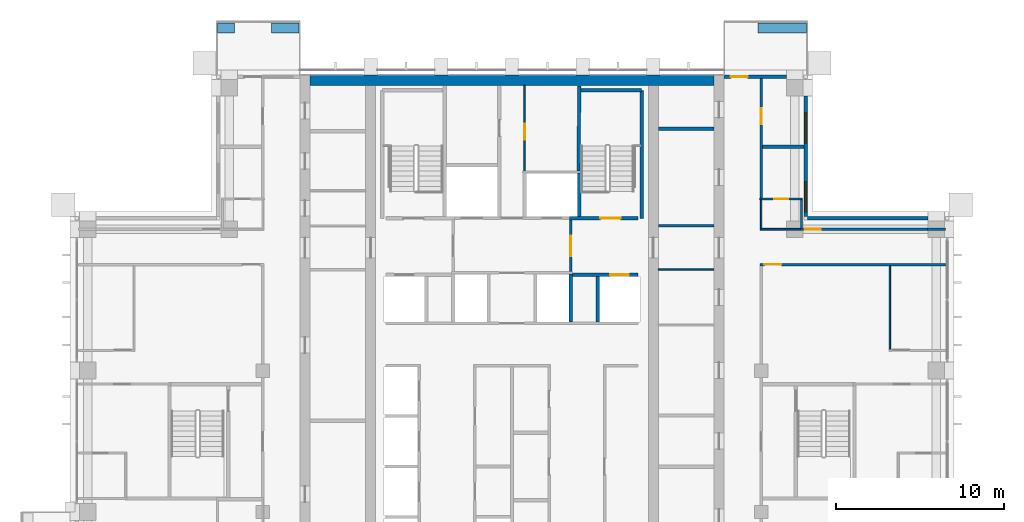
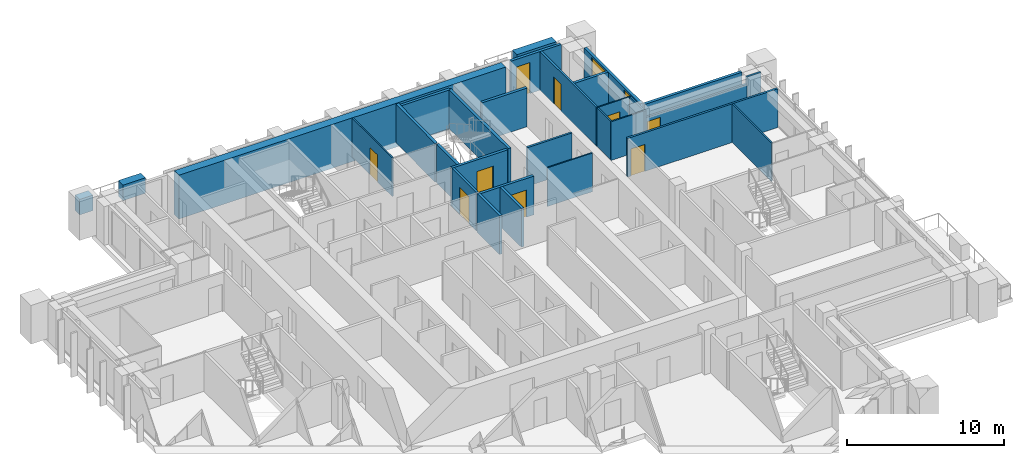
# One storey, part 14 of 19: 31 walls, 9 doors, 2 windows, 11 openings.
"""IFC4 building model written with IfcOpenShell, lengths in metres."""

from ifc_helpers import new_model, si_unit, direction, frame, frame_2d, origin, place, context, subcontext, project, spatial, rectangle, extrude, material, layer, layer_set, type_object, element, fill, save


model = new_model("IFC4")

# Units and contexts
model_context = context("Model", 3, precision=1e-05, world=origin(), true_north=direction((0.0, 1.0)))
body_context = subcontext(model_context, "Body", "Model", "MODEL_VIEW")
ifc_project = project(units=[si_unit("LENGTHUNIT", "METRE"), si_unit("AREAUNIT", "SQUARE_METRE"), si_unit("VOLUMEUNIT", "CUBIC_METRE"), si_unit("PLANEANGLEUNIT", "RADIAN"), si_unit("MASSUNIT", "GRAM", prefix="KILO")], contexts=[model_context])

# Site, building, storey
site_placement = place(None, origin())
site = spatial("IfcSite", under=ifc_project, at=site_placement, CompositionType="ELEMENT")
building_placement = place(site_placement, origin())
building = spatial("IfcBuilding", under=site, at=building_placement, Name="Vermilion Ogive Tower", CompositionType="ELEMENT")
storey_placement = place(building_placement, frame((0.0, 0.0, 213.5)))
storey = spatial("IfcBuildingStorey", under=building, at=storey_placement, Name="L56", CompositionType="ELEMENT", Elevation=213.5)

# Walls
ifc_material_1 = material(Name="Concrete B60", Category="concrete")
ifc_layer_1 = layer(ifc_material_1, 0.60009765625)
ifc_layer_set_1 = layer_set([ifc_layer_1], Name="Core wall 600 B60")
wall_type_1 = type_object("IfcWallType", Name="Core wall 600 B60", PredefinedType="SHEAR", material=ifc_layer_set_1)
wall_1_placement = place(storey_placement, frame((-12.0, 21.449951171875, -0.39990234375), z_axis=(0.0, 0.0, 1.0), x_axis=(1.0, 0.0, 0.0)))
element("IfcWall", 1, at=wall_1_placement, inside=storey, type_object=wall_type_1, Name="L56-CORE-N", PredefinedType="SHEAR", context=body_context, shape_type="SweptSolid", body=[
    extrude(rectangle(XDim=24.0, YDim=0.60009765625, at=frame_2d((12.0, 0.0))), origin(), (0.0, 0.0, 1.0), 3.39990234375),
])
ifc_material_2 = material(Name="Gypsum board partition on steel studs", Category="steel")
ifc_layer_2 = layer(ifc_material_2, 0.10009765625)
ifc_layer_set_2 = layer_set([ifc_layer_2], Name="Partition 100 bath")
wall_type_2 = type_object("IfcWallType", Name="Partition 100 bath", PredefinedType="PARTITIONING", material=ifc_layer_set_2)
wall_2_placement = place(storey_placement, frame((14.75, 12.60009765625, 0.0), z_axis=(0.0, 0.0, 1.0), x_axis=(1.0, 0.0, 0.0)))
element("IfcWall", 2, at=wall_2_placement, inside=storey, type_object=wall_type_2, Name="L56-W-W035", PredefinedType="PARTITIONING", context=body_context, shape_type="SweptSolid", body=[
    extrude(rectangle(XDim=2.5, YDim=0.10009765625, at=frame_2d((1.25, 0.0))), origin(), (0.0, 0.0, 1.0), 3.0),
])

# Wall, opening, door
wall_3_placement = place(storey_placement, frame((14.72509765625, 14.39990234375, 0.0), z_axis=(0.0, 0.0, 1.0), x_axis=(1.0, 0.0, 0.0)))
wall_3 = element("IfcWall", 3, at=wall_3_placement, inside=storey, type_object=wall_type_2, Name="L56-W-W038", PredefinedType="PARTITIONING", context=body_context, shape_type="SweptSolid", body=[
    extrude(rectangle(XDim=2.52490234375, YDim=0.10009765625, at=frame_2d((1.262451171875, 0.0))), origin(), (0.0, 0.0, 1.0), 3.0),
])
opening_1_placement = place(wall_3_placement, frame((0.849853515625, 0.0, 0.0)))
opening_1 = element("IfcOpeningElement", 4, at=opening_1_placement, cuts=wall_3, Name="Opening D4G6021", PredefinedType="OPENING", context=body_context, shape_type="SweptSolid", body=[
    extrude(rectangle(XDim=0.85009765625, YDim=2.10009765625, at=frame_2d((0.425048828125, 1.050048828125))), frame((0.0, 0.06005859375, 0.0), z_axis=(0.0, -1.0, 0.0), x_axis=(1.0, 0.0, 0.0)), (0.0, 0.0, 1.0), 0.1201171875),
])
ifc_material_3 = material(Name="Timber door leaf", Category="wood")
door_type_1 = type_object("IfcDoorType", Name="Bath door 850 x 2100 FD30", OperationType="SINGLE_SWING_LEFT", PredefinedType="DOOR", material=ifc_material_3)
door_1_placement = place(opening_1_placement, origin())
door_1 = element("IfcDoor", 5, at=door_1_placement, inside=storey, type_object=door_type_1, Name="L56-D-D021", OperationType="SINGLE_SWING_RIGHT", OverallHeight=2.10009765625, OverallWidth=0.85009765625, PredefinedType="DOOR", context=body_context, shape_type="SweptSolid", body=[
    extrude(rectangle(XDim=0.85009765625, YDim=2.10009765625, at=frame_2d((0.425048828125, 1.050048828125))), frame((0.0, 0.02490234375, 0.0), z_axis=(0.0, -1.0, 0.0), x_axis=(1.0, 0.0, 0.0)), (0.0, 0.0, 1.0), 0.050048828125),
])
fill(opening_1, door_1)

# Walls
wall_4_placement = place(storey_placement, frame((14.800048828125, 12.64990234375, 0.0), z_axis=(0.0, 0.0, 1.0), x_axis=(0.0, 1.0, 0.0)))
element("IfcWall", 6, at=wall_4_placement, inside=storey, type_object=wall_type_2, Name="L56-W-W069", PredefinedType="PARTITIONING", context=body_context, shape_type="SweptSolid", body=[
    extrude(rectangle(XDim=1.7001953125, YDim=0.10009765625, at=frame_2d((0.85009765625, 0.0))), origin(), (0.0, 0.0, 1.0), 3.0),
])
wall_5_placement = place(storey_placement, frame((17.199951171875, 12.675048828125, 0.0), z_axis=(0.0, 0.0, 1.0), x_axis=(0.0, 1.0, 0.0)))
element("IfcWall", 7, at=wall_5_placement, inside=storey, type_object=wall_type_2, Name="L56-W-W072", PredefinedType="PARTITIONING", context=body_context, shape_type="SweptSolid", body=[
    extrude(rectangle(XDim=1.675048828125, YDim=0.10009765625, at=frame_2d((0.83740234375, 0.0))), origin(), (0.0, 0.0, 1.0), 3.0),
])

# Wall, opening, door
wall_6_placement = place(storey_placement, frame((0.75, 16.050048828125, 0.0), z_axis=(0.0, 0.0, 1.0), x_axis=(0.0, 1.0, 0.0)))
wall_6 = element("IfcWall", 8, at=wall_6_placement, inside=storey, type_object=wall_type_2, Name="L56-CK-W-W030", PredefinedType="PARTITIONING", context=body_context, shape_type="SweptSolid", body=[
    extrude(rectangle(XDim=5.098876953125, YDim=0.10009765625, at=frame_2d((2.54931640625, 0.0))), origin(), (0.0, 0.0, 1.0), 3.0),
])
opening_2_placement = place(wall_6_placement, frame((1.875, 0.0, 0.0)))
opening_2 = element("IfcOpeningElement", 9, at=opening_2_placement, cuts=wall_6, Name="Opening DAA526", PredefinedType="OPENING", context=body_context, shape_type="SweptSolid", body=[
    extrude(rectangle(XDim=0.949951171875, YDim=2.10009765625, at=frame_2d((0.47509765625, 1.050048828125))), frame((0.0, 0.06005859375, 0.0), z_axis=(0.0, -1.0, 0.0), x_axis=(1.0, 0.0, 0.0)), (0.0, 0.0, 1.0), 0.1201171875),
])
ifc_material_4 = material(Name="Timber door leaf", Category="wood")
door_type_2 = type_object("IfcDoorType", Name="Service door 950 x 2100 FD60", OperationType="SINGLE_SWING_LEFT", PredefinedType="DOOR", material=ifc_material_4)
door_2_placement = place(opening_2_placement, origin())
door_2 = element("IfcDoor", 10, at=door_2_placement, inside=storey, type_object=door_type_2, Name="L56-CK-D-D022", OperationType="SINGLE_SWING_LEFT", OverallHeight=2.10009765625, OverallWidth=0.949951171875, PredefinedType="DOOR", context=body_context, shape_type="SweptSolid", body=[
    extrude(rectangle(XDim=0.949951171875, YDim=2.10009765625, at=frame_2d((0.47509765625, 1.050048828125))), frame((0.0, 0.02490234375, 0.0), z_axis=(0.0, -1.0, 0.0), x_axis=(1.0, 0.0, 0.0)), (0.0, 0.0, 1.0), 0.050048828125),
])
fill(opening_2, door_2)

# Walls
wall_7_placement = place(storey_placement, frame((8.700927734375, 10.199951171875, 0.0), z_axis=(0.0, 0.0, 1.0), x_axis=(1.0, 0.0, 0.0)))
element("IfcWall", 11, at=wall_7_placement, inside=storey, type_object=wall_type_2, Name="L56-CKE-W-W004", PredefinedType="PARTITIONING", context=body_context, shape_type="SweptSolid", body=[
    extrude(rectangle(XDim=3.298095703125, YDim=0.10009765625, at=frame_2d((1.64892578125, 0.0))), origin(), (0.0, 0.0, 1.0), 3.0),
])
ifc_material_5 = material(Name="Gypsum board partition on steel studs", Category="steel")
ifc_layer_3 = layer(ifc_material_5, 0.10009765625)
ifc_layer_set_3 = layer_set([ifc_layer_3], Name="Partition 100 inner")
wall_type_3 = type_object("IfcWallType", Name="Partition 100 inner", PredefinedType="PARTITIONING", material=ifc_layer_set_3)
wall_8_placement = place(storey_placement, frame((22.449951171875, 5.449951171875, 0.0), z_axis=(0.0, 0.0, 1.0), x_axis=(0.0, 1.0, 0.0)))
element("IfcWall", 12, at=wall_8_placement, inside=storey, type_object=wall_type_3, Name="L56-W-W074", PredefinedType="PARTITIONING", context=body_context, shape_type="SweptSolid", body=[
    extrude(rectangle(XDim=4.97509765625, YDim=0.10009765625, at=frame_2d((2.487548828125, 0.0))), origin(), (0.0, 0.0, 1.0), 3.0),
])

# Wall, opening, door
ifc_material_6 = material(Name="Gypsum board partition on steel studs", Category="steel")
ifc_layer_4 = layer(ifc_material_6, 0.14990234375)
ifc_layer_set_4 = layer_set([ifc_layer_4], Name="Partition 150 corridor")
wall_type_4 = type_object("IfcWallType", Name="Partition 150 corridor", PredefinedType="PARTITIONING", material=ifc_layer_set_4)
wall_9_placement = place(storey_placement, frame((14.72509765625, 10.5, 0.0), z_axis=(0.0, 0.0, 1.0), x_axis=(1.0, 0.0, 0.0)))
wall_9 = element("IfcWall", 13, at=wall_9_placement, inside=storey, type_object=wall_type_4, Name="L56-W-W032", PredefinedType="PARTITIONING", context=body_context, shape_type="SweptSolid", body=[
    extrude(rectangle(XDim=11.02490234375, YDim=0.14990234375, at=frame_2d((5.512451171875, 0.0))), origin(), (0.0, 0.0, 1.0), 3.0),
])
opening_3_placement = place(wall_9_placement, frame((0.27490234375, 0.0, 0.0)))
opening_3 = element("IfcOpeningElement", 14, at=opening_3_placement, cuts=wall_9, Name="Opening D4G6017", PredefinedType="OPENING", context=body_context, shape_type="SweptSolid", body=[
    extrude(rectangle(XDim=1.0, YDim=2.10009765625, at=frame_2d((0.5, 1.050048828125))), frame((0.0, 0.0849609375, 0.0), z_axis=(0.0, -1.0, 0.0), x_axis=(1.0, 0.0, 0.0)), (0.0, 0.0, 1.0), 0.169921875),
])
ifc_material_7 = material(Name="Timber door leaf", Category="wood")
door_type_3 = type_object("IfcDoorType", Name="Unit door 1000 x 2100 FD30S", OperationType="SINGLE_SWING_LEFT", PredefinedType="DOOR", material=ifc_material_7)
door_3_placement = place(opening_3_placement, origin())
door_3 = element("IfcDoor", 15, at=door_3_placement, inside=storey, type_object=door_type_3, Name="L56-D-D017", OperationType="SINGLE_SWING_RIGHT", OverallHeight=2.10009765625, OverallWidth=1.0, PredefinedType="DOOR", context=body_context, shape_type="SweptSolid", body=[
    extrude(rectangle(XDim=1.0, YDim=2.10009765625, at=frame_2d((0.5, 1.050048828125))), frame((0.0, 0.02490234375, 0.0), z_axis=(0.0, -1.0, 0.0), x_axis=(1.0, 0.0, 0.0)), (0.0, 0.0, 1.0), 0.050048828125),
])
fill(opening_3, door_3)

# Wall
wall_10_placement = place(storey_placement, frame((17.14990234375, 12.60009765625, 0.0), z_axis=(0.0, 0.0, 1.0), x_axis=(1.0, 0.0, 0.0)))
element("IfcWall", 16, at=wall_10_placement, inside=storey, type_object=wall_type_4, Name="L56-W-W036", PredefinedType="PARTITIONING", context=body_context, shape_type="SweptSolid", body=[
    extrude(rectangle(XDim=0.150146484375, YDim=0.14990234375, at=frame_2d((0.0751953125, 0.0))), origin(), (0.0, 0.0, 1.0), 3.0),
])

# Wall, opening, door
wall_11_placement = place(storey_placement, frame((14.800048828125, 14.449951171875, 0.0), z_axis=(0.0, 0.0, 1.0), x_axis=(0.0, 1.0, 0.0)))
wall_11 = element("IfcWall", 17, at=wall_11_placement, inside=storey, type_object=wall_type_4, Name="L56-W-W070", PredefinedType="PARTITIONING", context=body_context, shape_type="SweptSolid", body=[
    extrude(rectangle(XDim=7.10009765625, YDim=0.14990234375, at=frame_2d((3.550048828125, 0.0))), origin(), (0.0, 0.0, 1.0), 3.0),
])
opening_4_placement = place(wall_11_placement, frame((4.400146484375, 0.0, 0.0)))
opening_4 = element("IfcOpeningElement", 18, at=opening_4_placement, cuts=wall_11, Name="Opening D4G6022", PredefinedType="OPENING", context=body_context, shape_type="SweptSolid", body=[
    extrude(rectangle(XDim=0.949951171875, YDim=2.10009765625, at=frame_2d((0.47509765625, 1.050048828125))), frame((0.0, 0.0849609375, 0.0), z_axis=(0.0, -1.0, 0.0), x_axis=(1.0, 0.0, 0.0)), (0.0, 0.0, 1.0), 0.169921875),
])
ifc_material_8 = material(Name="Timber door leaf", Category="wood")
door_type_4 = type_object("IfcDoorType", Name="Unit door 950 x 2100 FD30S", OperationType="SINGLE_SWING_LEFT", PredefinedType="DOOR", material=ifc_material_8)
door_4_placement = place(opening_4_placement, origin())
door_4 = element("IfcDoor", 19, at=door_4_placement, inside=storey, type_object=door_type_4, Name="L56-D-D022", OperationType="SINGLE_SWING_RIGHT", OverallHeight=2.10009765625, OverallWidth=0.949951171875, PredefinedType="DOOR", context=body_context, shape_type="SweptSolid", body=[
    extrude(rectangle(XDim=0.949951171875, YDim=2.10009765625, at=frame_2d((0.47509765625, 1.050048828125))), frame((0.0, 0.02490234375, 0.0), z_axis=(0.0, -1.0, 0.0), x_axis=(1.0, 0.0, 0.0)), (0.0, 0.0, 1.0), 0.050048828125),
])
fill(opening_4, door_4)

wall_12_placement = place(storey_placement, frame((3.5, 10.074951171875, 0.0), z_axis=(0.0, 0.0, 1.0), x_axis=(0.0, 1.0, 0.0)))
wall_12 = element("IfcWall", 20, at=wall_12_placement, inside=storey, type_object=wall_type_4, Name="L56-CK-W-W034", PredefinedType="PARTITIONING", context=body_context, shape_type="SweptSolid", body=[
    extrude(rectangle(XDim=3.074951171875, YDim=0.14990234375, at=frame_2d((1.53759765625, 0.0))), origin(), (0.0, 0.0, 1.0), 3.0),
])
opening_5_placement = place(wall_12_placement, frame((0.925048828125, 0.0, 0.0)))
opening_5 = element("IfcOpeningElement", 21, at=opening_5_placement, cuts=wall_12, Name="Opening DAA515", PredefinedType="OPENING", context=body_context, shape_type="SweptSolid", body=[
    extrude(rectangle(XDim=1.199951171875, YDim=2.10009765625, at=frame_2d((0.60009765625, 1.050048828125))), frame((0.0, 0.0849609375, 0.0), z_axis=(0.0, -1.0, 0.0), x_axis=(1.0, 0.0, 0.0)), (0.0, 0.0, 1.0), 0.169921875),
])
ifc_material_9 = material(Name="Timber door leaf", Category="wood")
door_type_5 = type_object("IfcDoorType", Name="Lobby door 1200 x 2100 FD60S", OperationType="SINGLE_SWING_LEFT", PredefinedType="DOOR", material=ifc_material_9)
door_5_placement = place(opening_5_placement, origin())
door_5 = element("IfcDoor", 22, at=door_5_placement, inside=storey, type_object=door_type_5, Name="L56-CK-D-D024", OperationType="SINGLE_SWING_LEFT", OverallHeight=2.10009765625, OverallWidth=1.199951171875, PredefinedType="DOOR", context=body_context, shape_type="SweptSolid", body=[
    extrude(rectangle(XDim=1.199951171875, YDim=2.10009765625, at=frame_2d((0.60009765625, 1.050048828125))), frame((0.0, 0.02490234375, 0.0), z_axis=(0.0, -1.0, 0.0), x_axis=(1.0, 0.0, 0.0)), (0.0, 0.0, 1.0), 0.050048828125),
])
fill(opening_5, door_5)

# Wall
wall_13_placement = place(storey_placement, frame((8.700927734375, 12.800048828125, 0.0), z_axis=(0.0, 0.0, 1.0), x_axis=(1.0, 0.0, 0.0)))
element("IfcWall", 23, at=wall_13_placement, inside=storey, type_object=wall_type_4, Name="L56-CKE-W-W005", PredefinedType="PARTITIONING", context=body_context, shape_type="SweptSolid", body=[
    extrude(rectangle(XDim=3.298095703125, YDim=0.14990234375, at=frame_2d((1.64892578125, 0.0))), origin(), (0.0, 0.0, 1.0), 3.0),
])

# Wall, opening, door
wall_14_placement = place(storey_placement, frame((17.300048828125, 12.60009765625, 0.0), z_axis=(0.0, 0.0, 1.0), x_axis=(1.0, 0.0, 0.0)))
wall_14 = element("IfcWall", 24, at=wall_14_placement, inside=storey, type_object=wall_type_4, Name="L56-W-W036-h1", PredefinedType="PARTITIONING", context=body_context, shape_type="SweptSolid", body=[
    extrude(rectangle(XDim=7.39990234375, YDim=0.14990234375, at=frame_2d((3.699951171875, 0.0))), origin(), (0.0, 0.0, 1.0), 2.449951171875),
])
opening_6_placement = place(wall_14_placement, frame((0.099853515625, 0.0, 0.0)))
opening_6 = element("IfcOpeningElement", 25, at=opening_6_placement, cuts=wall_14, Name="Opening D4G6020", PredefinedType="OPENING", context=body_context, shape_type="SweptSolid", body=[
    extrude(rectangle(XDim=0.949951171875, YDim=2.10009765625, at=frame_2d((0.47509765625, 1.050048828125))), frame((0.0, 0.0849609375, 0.0), z_axis=(0.0, -1.0, 0.0), x_axis=(1.0, 0.0, 0.0)), (0.0, 0.0, 1.0), 0.169921875),
])
door_6_placement = place(opening_6_placement, origin())
door_6 = element("IfcDoor", 26, at=door_6_placement, inside=storey, type_object=door_type_4, Name="L56-D-D020", OperationType="SINGLE_SWING_LEFT", OverallHeight=2.10009765625, OverallWidth=0.949951171875, PredefinedType="DOOR", context=body_context, shape_type="SweptSolid", body=[
    extrude(rectangle(XDim=0.949951171875, YDim=2.10009765625, at=frame_2d((0.47509765625, 1.050048828125))), frame((0.0, 0.02490234375, 0.0), z_axis=(0.0, -1.0, 0.0), x_axis=(1.0, 0.0, 0.0)), (0.0, 0.0, 1.0), 0.050048828125),
])
fill(opening_6, door_6)

# Walls
wall_15_placement = place(storey_placement, frame((24.699951171875, 12.60009765625, 0.0), z_axis=(0.0, 0.0, 1.0), x_axis=(1.0, 0.0, 0.0)))
element("IfcWall", 27, at=wall_15_placement, inside=storey, type_object=wall_type_4, Name="L56-W-W036-h2", PredefinedType="PARTITIONING", context=body_context, shape_type="SweptSolid", body=[
    extrude(rectangle(XDim=1.050048828125, YDim=0.14990234375, at=frame_2d((0.52490234375, 0.0))), origin(), (0.0, 0.0, 1.0), 3.0),
])
ifc_material_10 = material(Name="Gypsum board partition on steel studs", Category="steel")
ifc_layer_5 = layer(ifc_material_10, 0.199951171875)
ifc_layer_set_5 = layer_set([ifc_layer_5], Name="Partition 200 party")
wall_type_5 = type_object("IfcWallType", Name="Partition 200 party", PredefinedType="PARTITIONING", material=ifc_layer_set_5)
wall_16_placement = place(storey_placement, frame((14.875, 17.5, 0.0), z_axis=(0.0, 0.0, 1.0), x_axis=(1.0, 0.0, 0.0)))
element("IfcWall", 28, at=wall_16_placement, inside=storey, type_object=wall_type_5, Name="L56-W-W040", PredefinedType="PARTITIONING", context=body_context, shape_type="SweptSolid", body=[
    extrude(rectangle(XDim=2.47509765625, YDim=0.199951171875, at=frame_2d((1.237548828125, 0.0))), origin(), (0.0, 0.0, 1.0), 3.0),
])

# Wall, opening, door
wall_17_placement = place(storey_placement, frame((3.60009765625, 9.89990234375, 0.0), z_axis=(0.0, 0.0, 1.0), x_axis=(1.0, 0.0, 0.0)))
wall_17 = element("IfcWall", 29, at=wall_17_placement, inside=storey, type_object=wall_type_5, Name="L56-CK-W-W013", PredefinedType="PARTITIONING", context=body_context, shape_type="SweptSolid", body=[
    extrude(rectangle(XDim=3.89990234375, YDim=0.199951171875, at=frame_2d((1.949951171875, 0.0))), origin(), (0.0, 0.0, 1.0), 3.0),
])
opening_7_placement = place(wall_17_placement, frame((2.25, 0.0, 0.0)))
opening_7 = element("IfcOpeningElement", 30, at=opening_7_placement, cuts=wall_17, Name="Opening DAA535", PredefinedType="OPENING", context=body_context, shape_type="SweptSolid", body=[
    extrude(rectangle(XDim=1.10009765625, YDim=2.10009765625, at=frame_2d((0.550048828125, 1.050048828125))), frame((0.0, 0.10986328125, 0.0), z_axis=(0.0, -1.0, 0.0), x_axis=(1.0, 0.0, 0.0)), (0.0, 0.0, 1.0), 0.219970703125),
])
ifc_material_11 = material(Name="Stainless steel", Category="steel")
door_type_6 = type_object("IfcDoorType", Name="Lift landing door 1100 x 2100", OperationType="SLIDING_TO_LEFT", PredefinedType="DOOR", material=ifc_material_11)
door_7_placement = place(opening_7_placement, origin())
door_7 = element("IfcDoor", 31, at=door_7_placement, inside=storey, type_object=door_type_6, Name="L56-CK-D-D015", OperationType="SLIDING_TO_LEFT", OverallHeight=2.10009765625, OverallWidth=1.10009765625, PredefinedType="DOOR", context=body_context, shape_type="SweptSolid", body=[
    extrude(rectangle(XDim=1.10009765625, YDim=2.10009765625, at=frame_2d((0.550048828125, 1.050048828125))), frame((0.0, 0.02490234375, 0.0), z_axis=(0.0, -1.0, 0.0), x_axis=(1.0, 0.0, 0.0)), (0.0, 0.0, 1.0), 0.050048828125),
])
fill(opening_7, door_7)

# Walls
wall_18_placement = place(storey_placement, frame((3.5, 7.074951171875, 0.0), z_axis=(0.0, 0.0, 1.0), x_axis=(0.0, 1.0, 0.0)))
element("IfcWall", 32, at=wall_18_placement, inside=storey, type_object=wall_type_5, Name="L56-CK-W-W033", PredefinedType="PARTITIONING", context=body_context, shape_type="SweptSolid", body=[
    extrude(rectangle(XDim=2.85009765625, YDim=0.199951171875, at=frame_2d((1.425048828125, 0.0))), origin(), (0.0, 0.0, 1.0), 3.0),
])
wall_19_placement = place(storey_placement, frame((5.10009765625, 7.074951171875, 0.0), z_axis=(0.0, 0.0, 1.0), x_axis=(0.0, 1.0, 0.0)))
element("IfcWall", 33, at=wall_19_placement, inside=storey, type_object=wall_type_5, Name="L56-CK-W-W037", PredefinedType="PARTITIONING", context=body_context, shape_type="SweptSolid", body=[
    extrude(rectangle(XDim=2.72509765625, YDim=0.199951171875, at=frame_2d((1.362548828125, 0.0))), origin(), (0.0, 0.0, 1.0), 3.0),
])
wall_20_placement = place(storey_placement, frame((8.700927734375, 18.56005859375, 0.0), z_axis=(0.0, 0.0, 1.0), x_axis=(1.0, 0.0, 0.0)))
element("IfcWall", 34, at=wall_20_placement, inside=storey, type_object=wall_type_5, Name="L56-CKE-W-W006", PredefinedType="PARTITIONING", context=body_context, shape_type="SweptSolid", body=[
    extrude(rectangle(XDim=3.298095703125, YDim=0.199951171875, at=frame_2d((1.64892578125, 0.0))), origin(), (0.0, 0.0, 1.0), 3.0),
])

# Wall, opening, door
ifc_material_12 = material(Name="Concrete B60", Category="concrete")
ifc_layer_6 = layer(ifc_material_12, 0.199951171875)
ifc_layer_set_6 = layer_set([ifc_layer_6], Name="Stair shaft wall 200 Concrete B60")
wall_type_6 = type_object("IfcWallType", Name="Stair shaft wall 200 Concrete B60", PredefinedType="SOLIDWALL", material=ifc_layer_set_6)
wall_21_placement = place(storey_placement, frame((3.425048828125, 13.25, 0.0), z_axis=(0.0, 0.0, 1.0), x_axis=(1.0, 0.0, 0.0)))
wall_21 = element("IfcWall", 35, at=wall_21_placement, inside=storey, type_object=wall_type_6, Name="L56-CK-W-W017", PredefinedType="SOLIDWALL", context=body_context, shape_type="SweptSolid", body=[
    extrude(rectangle(XDim=4.074951171875, YDim=0.199951171875, at=frame_2d((2.03759765625, 0.0))), origin(), (0.0, 0.0, 1.0), 3.0),
])
opening_8_placement = place(wall_21_placement, frame((1.824951171875, 0.0, 0.0)))
opening_8 = element("IfcOpeningElement", 36, at=opening_8_placement, cuts=wall_21, Name="Opening DAA528", PredefinedType="OPENING", context=body_context, shape_type="SweptSolid", body=[
    extrude(rectangle(XDim=1.199951171875, YDim=2.10009765625, at=frame_2d((0.60009765625, 1.050048828125))), frame((0.0, 0.10986328125, 0.0), z_axis=(0.0, -1.0, 0.0), x_axis=(1.0, 0.0, 0.0)), (0.0, 0.0, 1.0), 0.219970703125),
])
ifc_material_13 = material(Name="Timber door leaf", Category="wood")
door_type_7 = type_object("IfcDoorType", Name="Stair door 1200 x 2100 FD60S", OperationType="SINGLE_SWING_LEFT", PredefinedType="DOOR", material=ifc_material_13)
door_8_placement = place(opening_8_placement, origin())
door_8 = element("IfcDoor", 37, at=door_8_placement, inside=storey, type_object=door_type_7, Name="L56-CK-D-D014", OperationType="SINGLE_SWING_RIGHT", OverallHeight=2.10009765625, OverallWidth=1.199951171875, PredefinedType="DOOR", context=body_context, shape_type="SweptSolid", body=[
    extrude(rectangle(XDim=1.199951171875, YDim=2.10009765625, at=frame_2d((0.60009765625, 1.050048828125))), frame((0.0, 0.02490234375, 0.0), z_axis=(0.0, -1.0, 0.0), x_axis=(1.0, 0.0, 0.0)), (0.0, 0.0, 1.0), 0.050048828125),
])
fill(opening_8, door_8)

# Walls
wall_22_placement = place(storey_placement, frame((4.0, 13.35009765625, 0.0), z_axis=(0.0, 0.0, 1.0), x_axis=(0.0, 1.0, 0.0)))
element("IfcWall", 38, at=wall_22_placement, inside=storey, type_object=wall_type_6, Name="L56-CK-W-W035", PredefinedType="SOLIDWALL", context=body_context, shape_type="SweptSolid", body=[
    extrude(rectangle(XDim=2.599853515625, YDim=0.199951171875, at=frame_2d((1.2998046875, 0.0))), origin(), (0.0, 0.0, 1.0), 3.0),
])
wall_23_placement = place(storey_placement, frame((3.949951171875, 16.050048828125, 0.0), z_axis=(0.0, 0.0, 1.0), x_axis=(0.009911993103, 0.99995087499, 0.0)))
element("IfcWall", 39, at=wall_23_placement, inside=storey, type_object=wall_type_6, Name="L56-CK-W-W036", PredefinedType="SOLIDWALL", context=body_context, shape_type="SweptSolid", body=[
    extrude(rectangle(XDim=5.04931640625, YDim=0.199951171875, at=frame_2d((2.524658203125, 0.0))), origin(), (0.0, 0.0, 1.0), 3.0),
])
wall_24_placement = place(storey_placement, frame((7.699951171875, 13.25, 0.0), z_axis=(0.0, 0.0, 1.0), x_axis=(0.0, 1.0, 0.0)))
element("IfcWall", 40, at=wall_24_placement, inside=storey, type_object=wall_type_6, Name="L56-SW-R022-E1", PredefinedType="SOLIDWALL", context=body_context, shape_type="SweptSolid", body=[
    extrude(rectangle(XDim=7.60009765625, YDim=0.199951171875, at=frame_2d((3.800048828125, 0.0))), origin(), (0.0, 0.0, 1.0), 3.0),
])
wall_25_placement = place(storey_placement, frame((4.10009765625, 20.85009765625, 0.0), z_axis=(0.0, 0.0, 1.0), x_axis=(1.0, 0.0, 0.0)))
element("IfcWall", 41, at=wall_25_placement, inside=storey, type_object=wall_type_6, Name="L56-SW-R022-N1", PredefinedType="SOLIDWALL", context=body_context, shape_type="SweptSolid", body=[
    extrude(rectangle(XDim=3.599853515625, YDim=0.199951171875, at=frame_2d((1.7998046875, 0.0))), origin(), (0.0, 0.0, 1.0), 3.0),
])
ifc_material_14 = material(Name="Concrete B40", Category="concrete")
ifc_layer_7 = layer(ifc_material_14, 0.60009765625)
ifc_layer_set_7 = layer_set([ifc_layer_7], Name="Structural planter")
wall_type_7 = type_object("IfcWallType", Name="Structural planter", PredefinedType="USERDEFINED", material=ifc_layer_set_7)
wall_26_placement = place(storey_placement, frame((17.489990234375, 24.550048828125, -0.0400390625), z_axis=(0.0, 0.0, 1.0), x_axis=(-1.0, 0.0, 0.0)))
element("IfcWall", 42, at=wall_26_placement, inside=storey, type_object=wall_type_7, Name="Planter N101A1", ObjectType="PLANTER", PredefinedType="USERDEFINED", context=body_context, shape_type="SweptSolid", body=[
    extrude(rectangle(XDim=2.889892578125, YDim=0.60009765625, at=frame_2d((1.44482421875, 0.0))), origin(), (0.0, 0.0, 1.0), 1.199951171875),
])
wall_27_placement = place(storey_placement, frame((-12.659912109375, 24.550048828125, -0.0400390625), z_axis=(0.0, 0.0, 1.0), x_axis=(-1.0, 0.0, 0.0)))
element("IfcWall", 43, at=wall_27_placement, inside=storey, type_object=wall_type_7, Name="Planter N201A1", ObjectType="PLANTER", PredefinedType="USERDEFINED", context=body_context, shape_type="SweptSolid", body=[
    extrude(rectangle(XDim=1.64013671875, YDim=0.60009765625, at=frame_2d((0.820068359375, 0.0))), origin(), (0.0, 0.0, 1.0), 1.199951171875),
])
wall_28_placement = place(storey_placement, frame((-16.5, 24.550048828125, -0.0400390625), z_axis=(0.0, 0.0, 1.0), x_axis=(-1.0, 0.0, 0.0)))
element("IfcWall", 44, at=wall_28_placement, inside=storey, type_object=wall_type_7, Name="Planter N201A2", ObjectType="PLANTER", PredefinedType="USERDEFINED", context=body_context, shape_type="SweptSolid", body=[
    extrude(rectangle(XDim=0.989990234375, YDim=0.60009765625, at=frame_2d((0.4951171875, 0.0))), origin(), (0.0, 0.0, 1.0), 1.199951171875),
])
ifc_material_15 = material(Name="Aluminium window wall framing", Category="aluminium")
ifc_layer_8 = layer(ifc_material_15, 0.199951171875)
ifc_layer_set_8 = layer_set([ifc_layer_8], Name="Window wall")
wall_type_8 = type_object("IfcWallType", Name="Window wall", PredefinedType="STANDARD", material=ifc_layer_set_8)
wall_29_placement = place(storey_placement, frame((24.699951171875, 13.25, 0.0), z_axis=(0.0, 0.0, 1.0), x_axis=(-1.0, 0.0, 0.0)))
element("IfcWall", 45, at=wall_29_placement, inside=storey, type_object=wall_type_8, Name="Window wall X31", PredefinedType="STANDARD", context=body_context, shape_type="SweptSolid", body=[
    extrude(rectangle(XDim=7.14990234375, YDim=0.199951171875, at=frame_2d((3.574951171875, 0.0))), origin(), (0.0, 0.0, 1.0), 3.0),
])

# Wall, openings, windows
wall_30_placement = place(storey_placement, frame((17.449951171875, 13.35009765625, 0.0), z_axis=(0.0, 0.0, 1.0), x_axis=(0.0, 1.0, 0.0)))
wall_30 = element("IfcWall", 46, at=wall_30_placement, inside=storey, type_object=wall_type_8, Name="Window wall X41", PredefinedType="STANDARD", context=body_context, shape_type="SweptSolid", body=[
    extrude(rectangle(XDim=7.14990234375, YDim=0.199951171875, at=frame_2d((3.574951171875, 0.0))), origin(), (0.0, 0.0, 1.0), 3.0),
])
opening_9_placement = place(wall_30_placement, frame((0.27490234375, 0.0, 0.199951171875)))
opening_9 = element("IfcOpeningElement", 47, at=opening_9_placement, cuts=wall_30, Name="Opening W1-X403", PredefinedType="OPENING", context=body_context, shape_type="SweptSolid", body=[
    extrude(rectangle(XDim=1.800048828125, YDim=2.64990234375, at=frame_2d((0.89990234375, 1.324951171875))), frame((0.0, 0.10986328125, 0.0), z_axis=(0.0, -1.0, 0.0), x_axis=(1.0, 0.0, 0.0)), (0.0, 0.0, 1.0), 0.219970703125),
])
opening_10_placement = place(wall_30_placement, frame((4.3701171875, 0.0, 0.199951171875)))
opening_10 = element("IfcOpeningElement", 48, at=opening_10_placement, cuts=wall_30, Name="Opening W1-X404", PredefinedType="OPENING", context=body_context, shape_type="SweptSolid", body=[
    extrude(rectangle(XDim=1.800048828125, YDim=2.64990234375, at=frame_2d((0.89990234375, 1.324951171875))), frame((0.0, 0.10986328125, 0.0), z_axis=(0.0, -1.0, 0.0), x_axis=(1.0, 0.0, 0.0)), (0.0, 0.0, 1.0), 0.219970703125),
])
ifc_material_16 = material(Name="Aluminium framed double glazing", Category="aluminium")
window_type = type_object("IfcWindowType", Name="Guest window W1", PartitioningType="SINGLE_PANEL", PredefinedType="WINDOW", material=ifc_material_16)
window_1_placement = place(opening_9_placement, origin())
window_1 = element("IfcWindow", 49, at=window_1_placement, inside=storey, type_object=window_type, Name="Window X403", OverallHeight=2.64990234375, OverallWidth=1.800048828125, PartitioningType="SINGLE_PANEL", PredefinedType="WINDOW", context=body_context, shape_type="SweptSolid", body=[
    extrude(rectangle(XDim=1.800048828125, YDim=2.64990234375, at=frame_2d((0.89990234375, 1.324951171875))), frame((0.0, 0.030029296875, 0.0), z_axis=(0.0, -1.0, 0.0), x_axis=(1.0, 0.0, 0.0)), (0.0, 0.0, 1.0), 0.06005859375),
])
fill(opening_9, window_1)
window_2_placement = place(opening_10_placement, origin())
window_2 = element("IfcWindow", 50, at=window_2_placement, inside=storey, type_object=window_type, Name="Window X404", OverallHeight=2.64990234375, OverallWidth=1.800048828125, PartitioningType="SINGLE_PANEL", PredefinedType="WINDOW", context=body_context, shape_type="SweptSolid", body=[
    extrude(rectangle(XDim=1.800048828125, YDim=2.64990234375, at=frame_2d((0.89990234375, 1.324951171875))), frame((0.0, 0.030029296875, 0.0), z_axis=(0.0, -1.0, 0.0), x_axis=(1.0, 0.0, 0.0)), (0.0, 0.0, 1.0), 0.06005859375),
])
fill(opening_10, window_2)

# Wall, opening, door
wall_31_placement = place(storey_placement, frame((16.300048828125, 21.64990234375, 0.0), z_axis=(0.0, 0.0, 1.0), x_axis=(-1.0, 0.0, 0.0)))
wall_31 = element("IfcWall", 51, at=wall_31_placement, inside=storey, type_object=wall_type_8, Name="Window wall N11", PredefinedType="STANDARD", context=body_context, shape_type="SweptSolid", body=[
    extrude(rectangle(XDim=3.699951171875, YDim=0.199951171875, at=frame_2d((1.85009765625, 0.0))), origin(), (0.0, 0.0, 1.0), 3.0),
])
opening_11_placement = place(wall_31_placement, frame((2.300048828125, 0.0, 0.0)))
opening_11 = element("IfcOpeningElement", 52, at=opening_11_placement, cuts=wall_31, Name="Opening D1-N103", PredefinedType="OPENING", context=body_context, shape_type="SweptSolid", body=[
    extrude(rectangle(XDim=1.0, YDim=2.39990234375, at=frame_2d((0.5, 1.199951171875))), frame((0.0, 0.10986328125, 0.0), z_axis=(0.0, -1.0, 0.0), x_axis=(1.0, 0.0, 0.0)), (0.0, 0.0, 1.0), 0.219970703125),
])
ifc_material_17 = material(Name="Aluminium framed glazed door", Category="aluminium")
door_type_8 = type_object("IfcDoorType", Name="Balcony door D1", OperationType="SINGLE_SWING_LEFT", PredefinedType="DOOR", material=ifc_material_17)
door_9_placement = place(opening_11_placement, origin())
door_9 = element("IfcDoor", 53, at=door_9_placement, inside=storey, type_object=door_type_8, Name="Balcony door N103", OperationType="SINGLE_SWING_LEFT", OverallHeight=2.39990234375, OverallWidth=1.0, PredefinedType="DOOR", context=body_context, shape_type="SweptSolid", body=[
    extrude(rectangle(XDim=1.0, YDim=2.39990234375, at=frame_2d((0.5, 1.199951171875))), frame((0.0, 0.02490234375, 0.0), z_axis=(0.0, -1.0, 0.0), x_axis=(1.0, 0.0, 0.0)), (0.0, 0.0, 1.0), 0.050048828125),
])
fill(opening_11, door_9)

save(model, "model.ifc")
